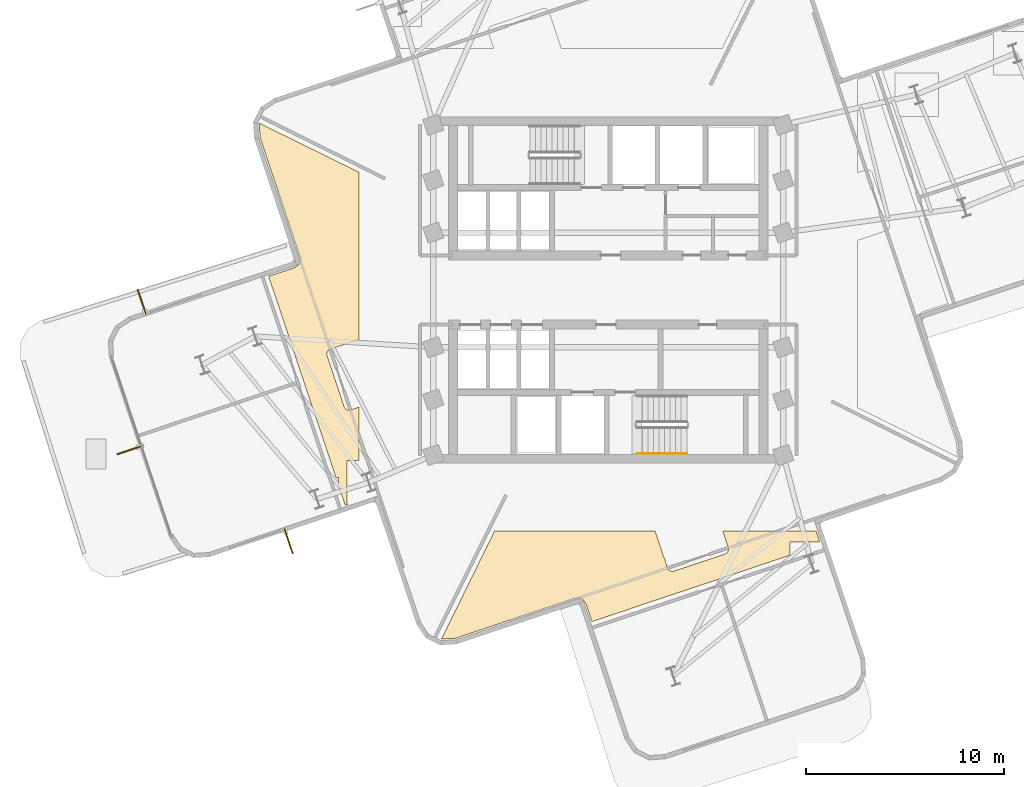
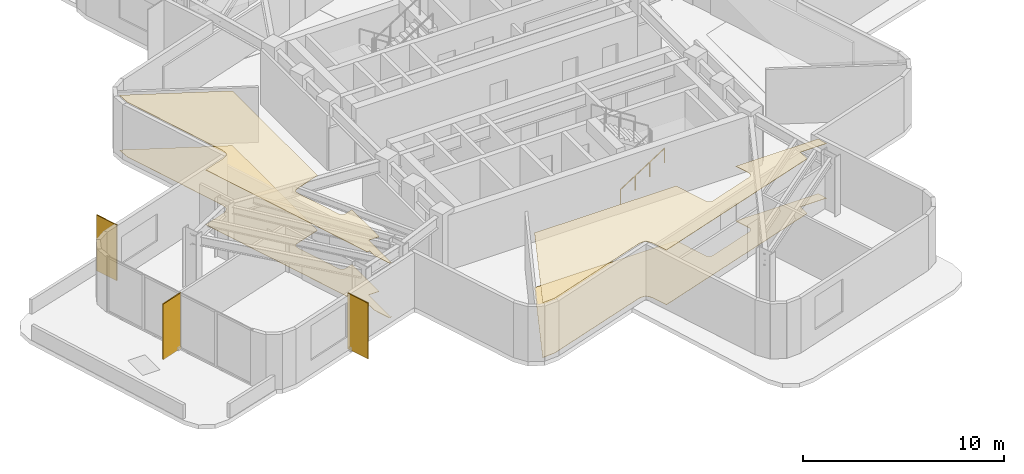
# One storey, part 9 of 11: 4 coverings, 3 shading devices, 1 railing.
"""IFC4 building model written with IfcOpenShell, lengths in metres."""

from ifc_helpers import new_model, si_unit, direction, frame, origin, origin_2d, place, context, subcontext, project, spatial, polyline, rectangle, circle, outline, extrude, material, layer, layer_set, type_object, element, save


model = new_model("IFC4")

# Units and contexts
model_context = context("Model", 3, precision=1e-05, world=origin(), true_north=direction((0.0, 1.0)))
body_context = subcontext(model_context, "Body", "Model", "MODEL_VIEW")
ifc_project = project(units=[si_unit("LENGTHUNIT", "METRE"), si_unit("AREAUNIT", "SQUARE_METRE"), si_unit("VOLUMEUNIT", "CUBIC_METRE"), si_unit("PLANEANGLEUNIT", "RADIAN"), si_unit("MASSUNIT", "GRAM", prefix="KILO")], contexts=[model_context])

# Site, building, storey
site_placement = place(None, origin())
site = spatial("IfcSite", under=ifc_project, at=site_placement, CompositionType="ELEMENT")
building_placement = place(site_placement, origin())
building = spatial("IfcBuilding", under=site, at=building_placement, Name="Solmarez Civic Tower", CompositionType="ELEMENT")
storey_placement = place(building_placement, frame((0.0, 0.0, 155.8798828125)))
storey = spatial("IfcBuildingStorey", under=building, at=storey_placement, Name="L41", CompositionType="ELEMENT", Elevation=155.8798828125)

# Coverings
ifc_material_1 = material(Name="Perforated Mineral-Fibre Acoustic Ceiling")
ifc_layer_1 = layer(ifc_material_1, 0.02490234375)
ifc_layer_set_1 = layer_set([ifc_layer_1], Name="Perforated Mineral-Fibre Acoustic Ceiling")
covering_type_1 = type_object("IfcCoveringType", Name="COV-CEIL-ACOUSTIC", PredefinedType="CEILING", material=ifc_layer_set_1)
covering_1_placement = place(storey_placement, frame((0.0, 0.0, 3.315185546875)))
element("IfcCovering", 1, at=covering_1_placement, inside=storey, type_object=covering_type_1, Name="L41 Suspended Acoustic Ceiling 2", PredefinedType="CEILING", context=body_context, shape_type="SweptSolid", body=[
    extrude(outline(polyline([(3.072021484375, -14.1650390625), (3.06201171875, -14.156982421875), (3.048095703125, -14.14306640625), (3.034912109375, -14.126953125), (3.02294921875, -14.111083984375), (3.01806640625, -14.10302734375), (3.00390625, -14.074951171875), (3.0, -14.06591796875), (2.991943359375, -14.047119140625), (2.3740234375, -12.199951171875), (-5.75390625, -12.199951171875), (-8.43505859375, -17.65087890625), (-8.428955078125, -17.654052734375), (-7.720947265625, -17.610107421875), (-1.748046875, -15.611083984375), (-1.738037109375, -15.60791015625), (-1.73095703125, -15.60595703125), (-1.701904296875, -15.60009765625), (-1.695068359375, -15.59912109375), (-1.68798828125, -15.597900390625), (-1.6708984375, -15.595947265625), (-1.4990234375, -15.5849609375), (-1.485107421875, -15.5849609375), (-1.47802734375, -15.5849609375), (-1.450927734375, -15.5869140625), (-1.43896484375, -15.587890625), (-1.431884765625, -15.589111328125), (-1.409912109375, -15.593994140625), (-1.402099609375, -15.595947265625), (-1.385009765625, -15.60107421875), (-1.367919921875, -15.60693359375), (-1.361083984375, -15.610107421875), (-1.35009765625, -15.614990234375), (-1.343994140625, -15.617919921875), (-1.3330078125, -15.6240234375), (-1.325927734375, -15.6279296875), (-1.31005859375, -15.637939453125), (-1.2939453125, -15.64990234375), (-1.2880859375, -15.655029296875), (-1.281982421875, -15.659912109375), (-1.26708984375, -15.673095703125), (-1.25390625, -15.68798828125), (-1.2490234375, -15.694091796875), (-1.235107421875, -15.712890625), (-1.23095703125, -15.718994140625), (-1.135986328125, -15.862060546875), (-1.132080078125, -15.867919921875), (-1.1220703125, -15.885009765625), (-1.113037109375, -15.903076171875), (-1.110107421875, -15.909912109375), (-1.10302734375, -15.927001953125), (-1.10107421875, -15.93310546875), (-0.822021484375, -16.76806640625), (9.18994140625, -13.4169921875), (9.18994140625, -12.75), (10.698974609375, -12.75), (10.513916015625, -12.199951171875), (5.7900390625, -12.199951171875), (6.06298828125, -13.01611328125), (6.068115234375, -13.030029296875), (6.072998046875, -13.050048828125), (6.073974609375, -13.054931640625), (6.076904296875, -13.075927734375), (6.077880859375, -13.097900390625), (6.077880859375, -13.10693359375), (6.076904296875, -13.12890625), (6.073974609375, -13.14990234375), (6.072998046875, -13.155029296875), (6.072021484375, -13.159912109375), (6.06494140625, -13.18701171875), (6.06201171875, -13.196044921875), (6.053955078125, -13.215087890625), (6.044921875, -13.23291015625), (6.0400390625, -13.241943359375), (6.030029296875, -13.259033203125), (6.01708984375, -13.27490234375), (6.00390625, -13.291015625), (5.9970703125, -13.298095703125), (5.97802734375, -13.31396484375), (5.9580078125, -13.3291015625), (5.949951171875, -13.333984375), (5.922119140625, -13.347900390625), (5.9130859375, -13.35205078125), (5.89404296875, -13.360107421875), (3.3359375, -14.216064453125), (3.322021484375, -14.220947265625), (3.302001953125, -14.22607421875), (3.297119140625, -14.22705078125), (3.27587890625, -14.22998046875), (3.25390625, -14.23095703125), (3.2451171875, -14.23095703125), (3.222900390625, -14.22998046875), (3.201904296875, -14.22705078125), (3.197021484375, -14.22607421875), (3.19189453125, -14.22509765625), (3.1650390625, -14.218017578125), (3.156005859375, -14.215087890625), (3.134033203125, -14.2060546875), (3.113037109375, -14.195068359375), (3.10791015625, -14.19189453125), (3.092041015625, -14.180908203125), (3.077880859375, -14.169921875), (3.072021484375, -14.1650390625)])), origin(), (0.0, 0.0, 1.0), 0.02490234375),
])
covering_2_placement = place(storey_placement, frame((0.0, 0.0, 3.315185546875)))
element("IfcCovering", 2, at=covering_2_placement, inside=storey, type_object=covering_type_1, Name="L41 Suspended Acoustic Ceiling 4", PredefinedType="CEILING", context=body_context, shape_type="SweptSolid", body=[
    extrude(outline(polyline([(-14.216064453125, -3.3359375), (-14.220947265625, -3.322021484375), (-14.22607421875, -3.302001953125), (-14.22705078125, -3.297119140625), (-14.22998046875, -3.27587890625), (-14.23095703125, -3.25390625), (-14.23095703125, -3.2451171875), (-14.22998046875, -3.222900390625), (-14.22705078125, -3.201904296875), (-14.22607421875, -3.197021484375), (-14.22509765625, -3.19189453125), (-14.218017578125, -3.1650390625), (-14.215087890625, -3.156005859375), (-14.2060546875, -3.134033203125), (-14.195068359375, -3.113037109375), (-14.19189453125, -3.10791015625), (-14.180908203125, -3.092041015625), (-14.169921875, -3.077880859375), (-14.1650390625, -3.072021484375), (-14.156982421875, -3.06201171875), (-14.14306640625, -3.048095703125), (-14.126953125, -3.034912109375), (-14.111083984375, -3.02294921875), (-14.10302734375, -3.01806640625), (-14.074951171875, -3.00390625), (-14.06591796875, -3.0), (-14.047119140625, -2.991943359375), (-12.60009765625, -2.508056640625), (-12.60009765625, 5.950927734375), (-17.65087890625, 8.43505859375), (-17.654052734375, 8.428955078125), (-17.610107421875, 7.720947265625), (-15.611083984375, 1.748046875), (-15.60791015625, 1.738037109375), (-15.60595703125, 1.73095703125), (-15.60009765625, 1.701904296875), (-15.59912109375, 1.695068359375), (-15.597900390625, 1.68798828125), (-15.595947265625, 1.6708984375), (-15.5849609375, 1.4990234375), (-15.5849609375, 1.485107421875), (-15.5849609375, 1.47802734375), (-15.5869140625, 1.450927734375), (-15.587890625, 1.43896484375), (-15.589111328125, 1.431884765625), (-15.593994140625, 1.409912109375), (-15.595947265625, 1.402099609375), (-15.60107421875, 1.385009765625), (-15.60693359375, 1.367919921875), (-15.610107421875, 1.361083984375), (-15.614990234375, 1.35009765625), (-15.617919921875, 1.343994140625), (-15.6240234375, 1.3330078125), (-15.6279296875, 1.325927734375), (-15.637939453125, 1.31005859375), (-15.64990234375, 1.2939453125), (-15.655029296875, 1.2880859375), (-15.659912109375, 1.281982421875), (-15.673095703125, 1.26708984375), (-15.68798828125, 1.25390625), (-15.694091796875, 1.2490234375), (-15.712890625, 1.235107421875), (-15.718994140625, 1.23095703125), (-15.862060546875, 1.135986328125), (-15.867919921875, 1.132080078125), (-15.885009765625, 1.1220703125), (-15.903076171875, 1.113037109375), (-15.909912109375, 1.110107421875), (-15.927001953125, 1.10302734375), (-15.93310546875, 1.10107421875), (-17.176025390625, 0.68603515625), (-13.77587890625, -9.472900390625), (-13.631103515625, -9.472900390625), (-13.631103515625, -9.906982421875), (-13.303955078125, -10.884033203125), (-13.14697265625, -10.8310546875), (-13.2060546875, -10.8310546875), (-13.2060546875, -8.631103515625), (-12.60009765625, -8.631103515625), (-12.60009765625, -5.924072265625), (-13.01611328125, -6.06298828125), (-13.030029296875, -6.068115234375), (-13.050048828125, -6.072998046875), (-13.054931640625, -6.073974609375), (-13.075927734375, -6.076904296875), (-13.097900390625, -6.077880859375), (-13.10693359375, -6.077880859375), (-13.12890625, -6.076904296875), (-13.14990234375, -6.073974609375), (-13.155029296875, -6.072998046875), (-13.159912109375, -6.072021484375), (-13.18701171875, -6.06494140625), (-13.196044921875, -6.06201171875), (-13.215087890625, -6.053955078125), (-13.23291015625, -6.044921875), (-13.241943359375, -6.0400390625), (-13.259033203125, -6.030029296875), (-13.27490234375, -6.01708984375), (-13.291015625, -6.00390625), (-13.298095703125, -5.9970703125), (-13.31396484375, -5.97802734375), (-13.3291015625, -5.9580078125), (-13.333984375, -5.949951171875), (-13.347900390625, -5.922119140625), (-13.35205078125, -5.9130859375), (-13.360107421875, -5.89404296875), (-14.216064453125, -3.3359375)])), origin(), (0.0, 0.0, 1.0), 0.02490234375),
])
ifc_material_2 = material(Name="Polished Tropical Stone Terrazzo Flooring", Category="masonry")
ifc_layer_2 = layer(ifc_material_2, 0.02001953125)
ifc_layer_set_2 = layer_set([ifc_layer_2], Name="Polished Tropical Stone Terrazzo Flooring")
covering_type_2 = type_object("IfcCoveringType", Name="COV-FLOOR-TERRAZZO", PredefinedType="FLOORING", material=ifc_layer_set_2)
covering_3_placement = place(storey_placement, origin())
element("IfcCovering", 3, at=covering_3_placement, inside=storey, type_object=covering_type_2, Name="L41 Terrazzo Floor Finish 2", PredefinedType="FLOORING", context=body_context, shape_type="SweptSolid", body=[
    extrude(outline(polyline([(3.072021484375, -14.1650390625), (3.06201171875, -14.156982421875), (3.048095703125, -14.14306640625), (3.034912109375, -14.126953125), (3.02294921875, -14.111083984375), (3.01806640625, -14.10302734375), (3.00390625, -14.074951171875), (3.0, -14.06591796875), (2.991943359375, -14.047119140625), (2.3740234375, -12.199951171875), (-5.75390625, -12.199951171875), (-8.43505859375, -17.65087890625), (-8.428955078125, -17.654052734375), (-7.720947265625, -17.610107421875), (-1.748046875, -15.611083984375), (-1.738037109375, -15.60791015625), (-1.73095703125, -15.60595703125), (-1.701904296875, -15.60009765625), (-1.695068359375, -15.59912109375), (-1.68798828125, -15.597900390625), (-1.6708984375, -15.595947265625), (-1.4990234375, -15.5849609375), (-1.485107421875, -15.5849609375), (-1.47802734375, -15.5849609375), (-1.450927734375, -15.5869140625), (-1.43896484375, -15.587890625), (-1.431884765625, -15.589111328125), (-1.409912109375, -15.593994140625), (-1.402099609375, -15.595947265625), (-1.385009765625, -15.60107421875), (-1.367919921875, -15.60693359375), (-1.361083984375, -15.610107421875), (-1.35009765625, -15.614990234375), (-1.343994140625, -15.617919921875), (-1.3330078125, -15.6240234375), (-1.325927734375, -15.6279296875), (-1.31005859375, -15.637939453125), (-1.2939453125, -15.64990234375), (-1.2880859375, -15.655029296875), (-1.281982421875, -15.659912109375), (-1.26708984375, -15.673095703125), (-1.25390625, -15.68798828125), (-1.2490234375, -15.694091796875), (-1.235107421875, -15.712890625), (-1.23095703125, -15.718994140625), (-1.135986328125, -15.862060546875), (-1.132080078125, -15.867919921875), (-1.1220703125, -15.885009765625), (-1.113037109375, -15.903076171875), (-1.110107421875, -15.909912109375), (-1.10302734375, -15.927001953125), (-1.10107421875, -15.93310546875), (-0.822021484375, -16.76806640625), (9.18994140625, -13.4169921875), (9.18994140625, -12.75), (10.698974609375, -12.75), (10.513916015625, -12.199951171875), (5.7900390625, -12.199951171875), (6.06298828125, -13.01611328125), (6.068115234375, -13.030029296875), (6.072998046875, -13.050048828125), (6.073974609375, -13.054931640625), (6.076904296875, -13.075927734375), (6.077880859375, -13.097900390625), (6.077880859375, -13.10693359375), (6.076904296875, -13.12890625), (6.073974609375, -13.14990234375), (6.072998046875, -13.155029296875), (6.072021484375, -13.159912109375), (6.06494140625, -13.18701171875), (6.06201171875, -13.196044921875), (6.053955078125, -13.215087890625), (6.044921875, -13.23291015625), (6.0400390625, -13.241943359375), (6.030029296875, -13.259033203125), (6.01708984375, -13.27490234375), (6.00390625, -13.291015625), (5.9970703125, -13.298095703125), (5.97802734375, -13.31396484375), (5.9580078125, -13.3291015625), (5.949951171875, -13.333984375), (5.922119140625, -13.347900390625), (5.9130859375, -13.35205078125), (5.89404296875, -13.360107421875), (3.3359375, -14.216064453125), (3.322021484375, -14.220947265625), (3.302001953125, -14.22607421875), (3.297119140625, -14.22705078125), (3.27587890625, -14.22998046875), (3.25390625, -14.23095703125), (3.2451171875, -14.23095703125), (3.222900390625, -14.22998046875), (3.201904296875, -14.22705078125), (3.197021484375, -14.22607421875), (3.19189453125, -14.22509765625), (3.1650390625, -14.218017578125), (3.156005859375, -14.215087890625), (3.134033203125, -14.2060546875), (3.113037109375, -14.195068359375), (3.10791015625, -14.19189453125), (3.092041015625, -14.180908203125), (3.077880859375, -14.169921875), (3.072021484375, -14.1650390625)])), origin(), (0.0, 0.0, 1.0), 0.02001953125),
])
covering_4_placement = place(storey_placement, origin())
element("IfcCovering", 4, at=covering_4_placement, inside=storey, type_object=covering_type_2, Name="L41 Terrazzo Floor Finish 4", PredefinedType="FLOORING", context=body_context, shape_type="SweptSolid", body=[
    extrude(outline(polyline([(-14.216064453125, -3.3359375), (-14.220947265625, -3.322021484375), (-14.22607421875, -3.302001953125), (-14.22705078125, -3.297119140625), (-14.22998046875, -3.27587890625), (-14.23095703125, -3.25390625), (-14.23095703125, -3.2451171875), (-14.22998046875, -3.222900390625), (-14.22705078125, -3.201904296875), (-14.22607421875, -3.197021484375), (-14.22509765625, -3.19189453125), (-14.218017578125, -3.1650390625), (-14.215087890625, -3.156005859375), (-14.2060546875, -3.134033203125), (-14.195068359375, -3.113037109375), (-14.19189453125, -3.10791015625), (-14.180908203125, -3.092041015625), (-14.169921875, -3.077880859375), (-14.1650390625, -3.072021484375), (-14.156982421875, -3.06201171875), (-14.14306640625, -3.048095703125), (-14.126953125, -3.034912109375), (-14.111083984375, -3.02294921875), (-14.10302734375, -3.01806640625), (-14.074951171875, -3.00390625), (-14.06591796875, -3.0), (-14.047119140625, -2.991943359375), (-12.60009765625, -2.508056640625), (-12.60009765625, 5.950927734375), (-17.65087890625, 8.43505859375), (-17.654052734375, 8.428955078125), (-17.610107421875, 7.720947265625), (-15.611083984375, 1.748046875), (-15.60791015625, 1.738037109375), (-15.60595703125, 1.73095703125), (-15.60009765625, 1.701904296875), (-15.59912109375, 1.695068359375), (-15.597900390625, 1.68798828125), (-15.595947265625, 1.6708984375), (-15.5849609375, 1.4990234375), (-15.5849609375, 1.485107421875), (-15.5849609375, 1.47802734375), (-15.5869140625, 1.450927734375), (-15.587890625, 1.43896484375), (-15.589111328125, 1.431884765625), (-15.593994140625, 1.409912109375), (-15.595947265625, 1.402099609375), (-15.60107421875, 1.385009765625), (-15.60693359375, 1.367919921875), (-15.610107421875, 1.361083984375), (-15.614990234375, 1.35009765625), (-15.617919921875, 1.343994140625), (-15.6240234375, 1.3330078125), (-15.6279296875, 1.325927734375), (-15.637939453125, 1.31005859375), (-15.64990234375, 1.2939453125), (-15.655029296875, 1.2880859375), (-15.659912109375, 1.281982421875), (-15.673095703125, 1.26708984375), (-15.68798828125, 1.25390625), (-15.694091796875, 1.2490234375), (-15.712890625, 1.235107421875), (-15.718994140625, 1.23095703125), (-15.862060546875, 1.135986328125), (-15.867919921875, 1.132080078125), (-15.885009765625, 1.1220703125), (-15.903076171875, 1.113037109375), (-15.909912109375, 1.110107421875), (-15.927001953125, 1.10302734375), (-15.93310546875, 1.10107421875), (-17.176025390625, 0.68603515625), (-13.77587890625, -9.472900390625), (-13.631103515625, -9.472900390625), (-13.631103515625, -9.906982421875), (-13.303955078125, -10.884033203125), (-13.14697265625, -10.8310546875), (-13.2060546875, -10.8310546875), (-13.2060546875, -8.631103515625), (-12.60009765625, -8.631103515625), (-12.60009765625, -5.924072265625), (-13.01611328125, -6.06298828125), (-13.030029296875, -6.068115234375), (-13.050048828125, -6.072998046875), (-13.054931640625, -6.073974609375), (-13.075927734375, -6.076904296875), (-13.097900390625, -6.077880859375), (-13.10693359375, -6.077880859375), (-13.12890625, -6.076904296875), (-13.14990234375, -6.073974609375), (-13.155029296875, -6.072998046875), (-13.159912109375, -6.072021484375), (-13.18701171875, -6.06494140625), (-13.196044921875, -6.06201171875), (-13.215087890625, -6.053955078125), (-13.23291015625, -6.044921875), (-13.241943359375, -6.0400390625), (-13.259033203125, -6.030029296875), (-13.27490234375, -6.01708984375), (-13.291015625, -6.00390625), (-13.298095703125, -5.9970703125), (-13.31396484375, -5.97802734375), (-13.3291015625, -5.9580078125), (-13.333984375, -5.949951171875), (-13.347900390625, -5.922119140625), (-13.35205078125, -5.9130859375), (-13.360107421875, -5.89404296875), (-14.216064453125, -3.3359375)])), origin(), (0.0, 0.0, 1.0), 0.02001953125),
])

# Shading devices
ifc_material_3 = material(Name="Bronze Anodised Aluminium EN AW-6063 T6", Category="aluminium")
ifc_layer_3 = layer(ifc_material_3, 0.06005859375)
ifc_layer_set_3 = layer_set([ifc_layer_3], Name="Bronze Anodised Aluminium EN AW-6063 T6")
shading_device_type = type_object("IfcShadingDeviceType", Name="FIN-BRONZE-Z34", PredefinedType="USERDEFINED", material=ifc_layer_set_3)
for number, where, z_axis, x_axis, name in (
    (5, (-16.166015625, -12.700927734375, -0.039794921875), (0.0, 0.0, 1.0), (0.320282332298, -0.947322135083, 0.0), "L41 Anodised Bronze Solar Fin FIN-L41-01"),
    (6, (-24.196044921875, -8.095947265625, -0.039794921875), (0.0, 0.0, 1.0), (-0.947316544957, -0.32029886614, 0.0), "L41 Anodised Bronze Solar Fin FIN-L41-02"),
    (7, (-23.589111328125, -0.60107421875, -0.039794921875), (0.0, 0.0, 1.0), (-0.320282332298, 0.947322135083, 0.0), "L41 Anodised Bronze Solar Fin FIN-L41-03"),
):
    element("IfcShadingDevice", number, at=place(storey_placement, frame(where, z_axis=z_axis, x_axis=x_axis)), inside=storey, type_object=shading_device_type, Name=name, ObjectType="FIN", PredefinedType="USERDEFINED", context=body_context, shape_type="SweptSolid", body=[
        extrude(rectangle(XDim=1.35009765625, YDim=0.06005859375, at=origin_2d()), origin(), (0.0, 0.0, 1.0), 3.3798828125),
    ])

# Railing
ifc_material_4 = material(Name="Brushed Stainless Steel Tube Handrail", Category="steel")
railing_type = type_object("IfcRailingType", Name="HANDRAIL-STAIR-900", PredefinedType="HANDRAIL", material=ifc_material_4)
railing_placement = place(storey_placement, frame((1.449951171875, -8.27001953125, 0.18017578125)))
element("IfcRailing", 8, at=railing_placement, inside=storey, type_object=railing_type, Name="L41 ST-2 stair handrail 1", PredefinedType="HANDRAIL", context=body_context, shape_type="SweptSolid", body=[
    extrude(circle(Radius=0.02392578125, at=origin_2d()), frame((0.0, 0.0, 0.8759765625), z_axis=(0.841199657755, 0.0, 0.540724639528), x_axis=(0.0, 1.0, 0.0)), (0.0, 0.0, 1.0), 2.995849609375),
    extrude(circle(Radius=0.02099609375, at=origin_2d()), origin(), (0.0, 0.0, 1.0), 0.851806640625),
    extrude(circle(Radius=0.02099609375, at=origin_2d()), frame((0.840087890625, 0.0, 0.5400390625)), (0.0, 0.0, 1.0), 0.851806640625),
    extrude(circle(Radius=0.02099609375, at=origin_2d()), frame((1.679931640625, 0.0, 1.079833984375)), (0.0, 0.0, 1.0), 0.851806640625),
    extrude(circle(Radius=0.02099609375, at=origin_2d()), frame((2.52001953125, 0.0, 1.619873046875)), (0.0, 0.0, 1.0), 0.851806640625),
])

save(model, "model.ifc")
